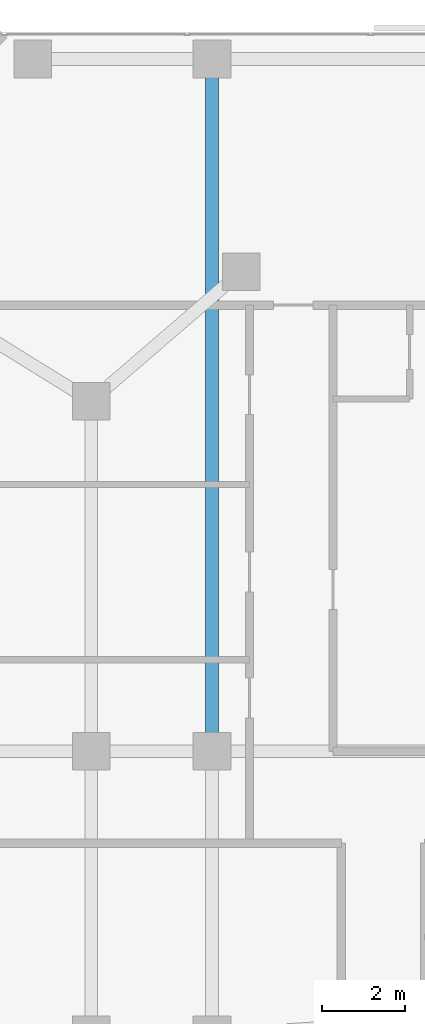
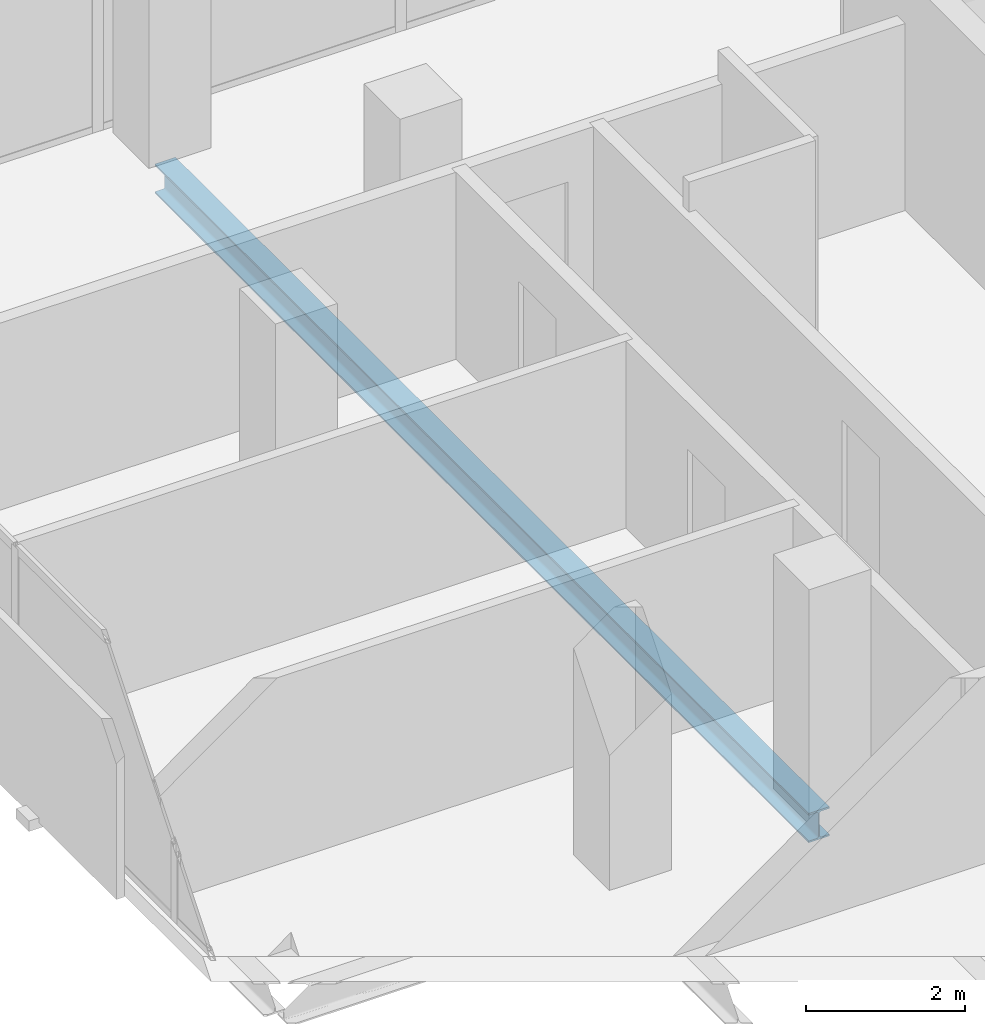
# One storey, part 18 of 34: 1 beam.
"""IFC4 building model written with IfcOpenShell, lengths in metres."""

import ifcopenshell
import ifcopenshell.guid

model = None  # the IFC model being written
_history = None  # IfcOwnerHistory: only IFC2X3 demands one
_inside = {}  # id of a spatial element -> (the spatial element, [elements in it])
_under = {}  # id of a project, library or spatial element -> (it, [spatial elements below it])
_declared = {}  # id of a project -> (the project, [libraries it declares])
_typed = {}  # id of a type object -> (the type object, [elements of that type])
_made_of = {}  # id of a material, layer set ... -> (it, [elements and type objects made of it])


def new_model(schema):
    """Start an empty IFC model of exactly this schema.

    Asked for "IFC4X3", IfcOpenShell would pick the latest addendum, in which some entities
    have other attributes; the version numbers below select the first issue.
    IFC2X3 requires an IfcOwnerHistory on every rooted entity: one is made here for all.
    """
    global model, _history
    if schema == "IFC4X3":
        model = ifcopenshell.file(schema_version=(4, 3, 0, 0))
    else:
        model = ifcopenshell.file(schema=schema)
    _inside.clear()
    _under.clear()
    _declared.clear()
    _typed.clear()
    _made_of.clear()
    _history = None
    if model.schema == "IFC2X3":
        org = make("IfcOrganization", Name="unknown")
        user = make(
            "IfcPersonAndOrganization",
            ThePerson=make("IfcPerson", FamilyName="unknown"),
            TheOrganization=org,
        )
        app = make(
            "IfcApplication",
            ApplicationDeveloper=org,
            Version="unknown",
            ApplicationFullName="unknown",
            ApplicationIdentifier="unknown",
        )
        _history = make(
            "IfcOwnerHistory",
            OwningUser=user,
            OwningApplication=app,
            ChangeAction="ADDED",
            CreationDate=0,
        )
    return model


def make(cls, **values):
    """One entity of the class cls with the attributes given. An attribute that is None is left unset."""
    return model.create_entity(
        cls, **{name: value for name, value in values.items() if value is not None}
    )


def rooted(cls, **values):
    """An entity with a GlobalId (a new one), such as an element, a storey or a relation."""
    return make(cls, GlobalId=ifcopenshell.guid.new(), OwnerHistory=_history, **values)


def si_unit(unit_type, name, prefix=None):
    """IfcSIUnit, for example si_unit("LENGTHUNIT", "METRE", prefix="MILLI")."""
    return make("IfcSIUnit", UnitType=unit_type, Prefix=prefix, Name=name)


def assignment(units):
    """IfcUnitAssignment: the units of a project."""
    return None if units is None else make("IfcUnitAssignment", Units=units)


def point(xyz):
    """IfcCartesianPoint."""
    return None if xyz is None else make("IfcCartesianPoint", Coordinates=xyz)


def direction(xyz):
    """IfcDirection."""
    return None if xyz is None else make("IfcDirection", DirectionRatios=xyz)


def frame(location, z_axis=None, x_axis=None):
    """IfcAxis2Placement3D, a coordinate frame: its origin and axes. An axis left out is left unset."""
    return make(
        "IfcAxis2Placement3D",
        Location=point(location),
        Axis=direction(z_axis),
        RefDirection=direction(x_axis),
    )


def frame_2d(location, x_axis=None):
    """IfcAxis2Placement2D, a coordinate frame in the plane: its origin and x axis."""
    return make(
        "IfcAxis2Placement2D", Location=point(location), RefDirection=direction(x_axis)
    )


def origin():
    """The frame at (0, 0, 0) with its axes left unset."""
    return frame((0.0, 0.0, 0.0))


def origin_2d():
    """The frame at (0, 0) in the plane with its x axis left unset."""
    return frame_2d((0.0, 0.0))


def place(relative_to, where):
    """IfcLocalPlacement: puts the frame where relative to a parent placement (None: the world)."""
    return make(
        "IfcLocalPlacement", PlacementRelTo=relative_to, RelativePlacement=where
    )


def context(
    kind, dimensions, precision=None, world=None, true_north=None, identifier=None
):
    """IfcGeometricRepresentationContext, for example the 3D "Model" context."""
    return make(
        "IfcGeometricRepresentationContext",
        ContextIdentifier=identifier,
        ContextType=kind,
        CoordinateSpaceDimension=dimensions,
        Precision=precision,
        WorldCoordinateSystem=world,
        TrueNorth=true_north,
    )


def subcontext(parent, identifier, kind, view, scale=None):
    """IfcGeometricRepresentationSubContext, for example "Body" below "Model"."""
    return make(
        "IfcGeometricRepresentationSubContext",
        ContextIdentifier=identifier,
        ContextType=kind,
        ParentContext=parent,
        TargetScale=scale,
        TargetView=view,
    )


def project(units=None, contexts=None):
    """IfcProject with its units and contexts."""
    return rooted(
        "IfcProject",
        Name="project",
        RepresentationContexts=contexts,
        UnitsInContext=assignment(units),
    )


def spatial(cls, under=None, at=None, **own):
    """A site, building, storey or space (cls), placed at a placement, below another one or the project."""
    s = rooted(cls, ObjectPlacement=at, **own)
    if under is not None:
        _under.setdefault(under.id(), (under, []))[1].append(s)
    return s


def profile(cls, at=None, kind="AREA", **sizes):
    """A parametric profile (cls). Its sizes go by their IFC names, for example OverallWidth=200.0."""
    return make(cls, ProfileType=kind, Position=at, **sizes)


def i_section(**sizes):
    """IfcIShapeProfileDef."""
    return profile("IfcIShapeProfileDef", **sizes)


def extrude(swept, where, along, depth):
    """IfcExtrudedAreaSolid: the profile swept, set in the frame where, extruded along a direction by depth."""
    return make(
        "IfcExtrudedAreaSolid",
        SweptArea=swept,
        Position=where,
        ExtrudedDirection=direction(along),
        Depth=depth,
    )


def shape(context_of_items, identifier, shape_type, items):
    """IfcShapeRepresentation: the items that make up one representation, for example the "Body"."""
    return make(
        "IfcShapeRepresentation",
        ContextOfItems=context_of_items,
        RepresentationIdentifier=identifier,
        RepresentationType=shape_type,
        Items=items,
    )


def material(Name=None, Category=None):
    """IfcMaterial."""
    return make("IfcMaterial", Name=Name, Category=Category)


def material_profile(
    of_material, cross_section, Name=None, Category=None, Priority=None
):
    """IfcMaterialProfile: a cross section and its material."""
    return make(
        "IfcMaterialProfile",
        Name=Name,
        Material=of_material,
        Profile=cross_section,
        Priority=Priority,
        Category=Category,
    )


def profile_set(profiles, Name=None, composite=None):
    """IfcMaterialProfileSet."""
    return make(
        "IfcMaterialProfileSet",
        Name=Name,
        MaterialProfiles=profiles,
        CompositeProfile=composite,
    )


def made_of(thing, what):
    """Note that an element or type object is made of a material, layer set ...; save() writes the relation."""
    if what is not None:
        _made_of.setdefault(what.id(), (what, []))[1].append(thing)
    return thing


def type_object(cls, material=None, **own):
    """A type object (cls), such as IfcWallType, which elements share."""
    return made_of(rooted(cls, **own), material)


def element(
    cls,
    number,
    at=None,
    inside=None,
    cuts=None,
    type_object=None,
    material=None,
    context=None,
    identifier="Body",
    shape_type=None,
    held_by="IfcProductDefinitionShape",
    body=None,
    shapes=None,
    **own,
):
    """One element of the class cls, such as IfcWall. Its Tag is "e" and its number.

    at: its placement. inside: the storey or other place that contains it. cuts: it is an
    opening in that element (IfcRelVoidsElement). A single representation is given by context,
    identifier, shape_type and body (its items); several are given by shapes. held_by: the class
    of the entity that holds the representations. save() writes the other relations.
    """
    e = rooted(cls, Tag="e%d" % number, ObjectPlacement=at, **own)
    if body is not None:
        shapes = [shape(context, identifier, shape_type, body)]
    if shapes is not None:
        e.Representation = make(held_by, Representations=shapes)
    if inside is not None:
        _inside.setdefault(inside.id(), (inside, []))[1].append(e)
    if cuts is not None:
        rooted(
            "IfcRelVoidsElement", RelatingBuildingElement=cuts, RelatedOpeningElement=e
        )
    if type_object is not None:
        _typed.setdefault(type_object.id(), (type_object, []))[1].append(e)
    return made_of(e, material)


def aggregate(whole, parts):
    """IfcRelAggregates: a whole, such as a stair, and the parts it consists of."""
    return rooted("IfcRelAggregates", RelatingObject=whole, RelatedObjects=parts)


def save(model, path):
    """Write the relations noted so far, then the file.

    IfcRelAggregates (storeys below a building ...), IfcRelContainedInSpatialStructure (elements
    in a storey), IfcRelDefinesByType, IfcRelAssociatesMaterial and IfcRelDeclares: one each for
    every whole, place, type object, material and project.
    """
    for whole, parts in _under.values():
        aggregate(whole, parts)
    for where, things in _inside.values():
        rooted(
            "IfcRelContainedInSpatialStructure",
            RelatedElements=things,
            RelatingStructure=where,
        )
    for kind, things in _typed.values():
        rooted("IfcRelDefinesByType", RelatedObjects=things, RelatingType=kind)
    for what, things in _made_of.values():
        rooted("IfcRelAssociatesMaterial", RelatedObjects=things, RelatingMaterial=what)
    for by, libraries in _declared.values():
        rooted("IfcRelDeclares", RelatingContext=by, RelatedDefinitions=libraries)
    model.write(path)


model = new_model("IFC4")

# Units and contexts
model_context = context("Model", 3, precision=1e-05, world=origin(), true_north=direction((0.0, 1.0)))
body_context = subcontext(model_context, "Body", "Model", "MODEL_VIEW")
ifc_project = project(units=[si_unit("LENGTHUNIT", "METRE"), si_unit("AREAUNIT", "SQUARE_METRE"), si_unit("VOLUMEUNIT", "CUBIC_METRE"), si_unit("PLANEANGLEUNIT", "RADIAN"), si_unit("MASSUNIT", "GRAM", prefix="KILO")], contexts=[model_context])

# Site, building, storey
site_placement = place(None, origin())
site = spatial("IfcSite", under=ifc_project, at=site_placement, CompositionType="ELEMENT")
building_placement = place(site_placement, origin())
building = spatial("IfcBuilding", under=site, at=building_placement, Name="Catumbela Crestline Tower", CompositionType="ELEMENT")
storey_placement = place(building_placement, frame((0.0, 0.0, 115.2)))
storey = spatial("IfcBuildingStorey", under=building, at=storey_placement, Name="L29", CompositionType="ELEMENT", Elevation=115.2)

# Beam
ifc_material = material(Name="Structural steel S355J2", Category="steel")
ifc_material_profile = material_profile(ifc_material, i_section(OverallWidth=0.3, OverallDepth=0.45, WebThickness=0.014, FlangeThickness=0.026, FilletRadius=0.027, at=origin_2d()), Name="HEB 450")
ifc_profile_set = profile_set([ifc_material_profile], Name="Structural steel S355J2")
beam_type = type_object("IfcBeamType", Name="BG-HEB450", PredefinedType="BEAM", material=ifc_profile_set)
beam_placement = place(storey_placement, frame((8.5, 30.88, -0.485), z_axis=(0.0, 1.0, 0.0), x_axis=(-1.0, 0.0, 0.0)))
element("IfcBeam", 1, at=beam_placement, inside=storey, type_object=beam_type, Name="L29 Beam BM-L29-SN27", PredefinedType="BEAM", context=body_context, shape_type="SweptSolid", body=[
    extrude(i_section(OverallWidth=0.3, OverallDepth=0.45, WebThickness=0.014, FlangeThickness=0.026, FilletRadius=0.027, at=origin_2d()), origin(), (0.0, 0.0, 1.0), 16.44),
])

save(model, "model.ifc")
